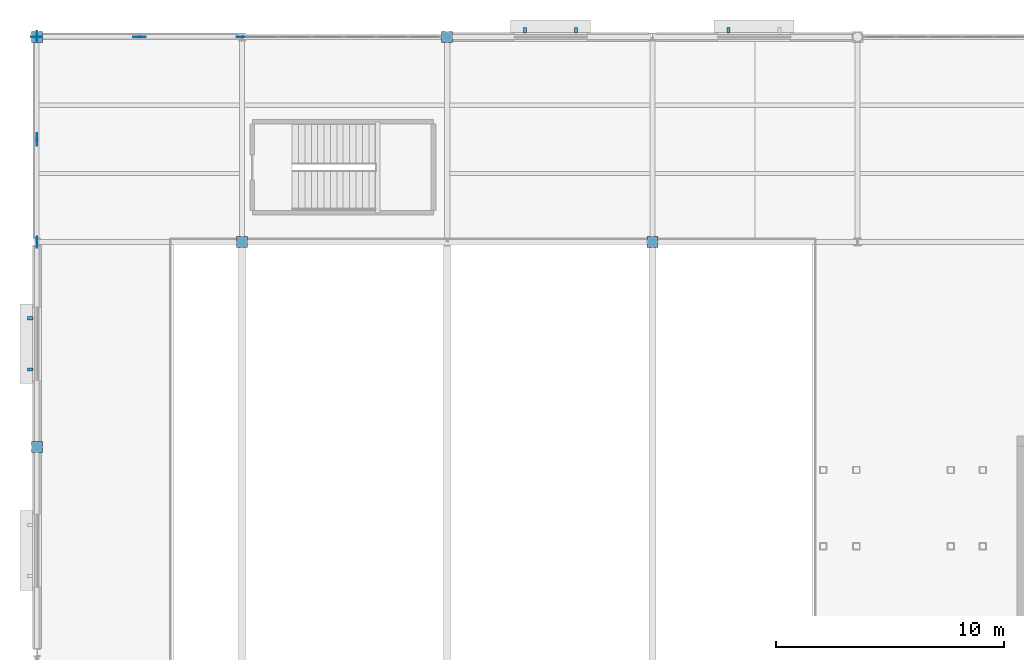
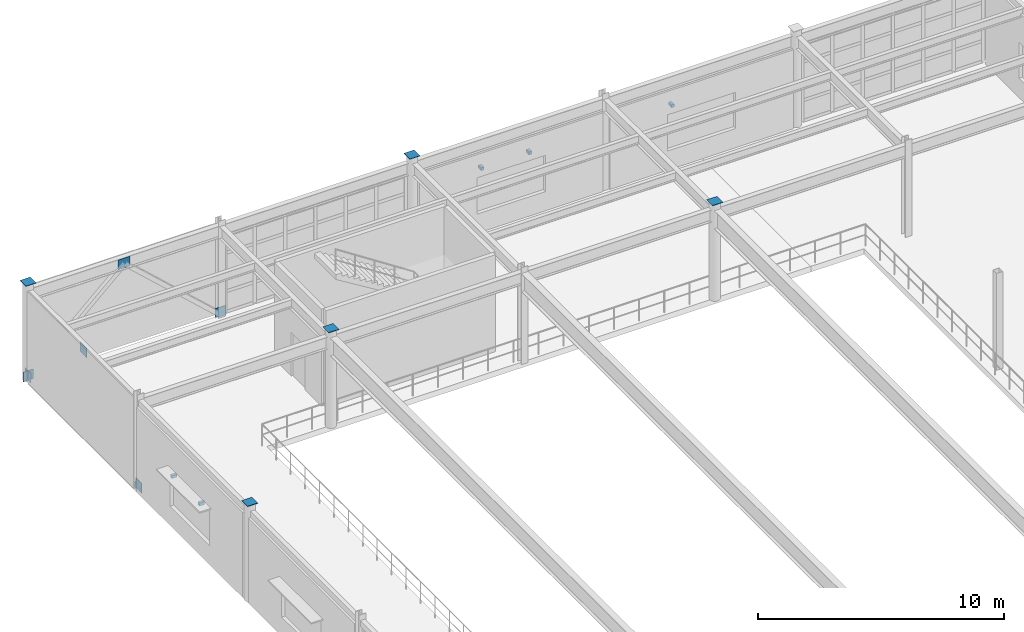
# One storey, part 75 of 86: 16 discrete accessories.
"""IFC4 building model written with IfcOpenShell, lengths in metres."""

from ifc_helpers import new_model, si_unit, direction, frame, origin, origin_2d, place, context, subcontext, project, spatial, rectangle, extrude, material, type_object, element, save


model = new_model("IFC4")

# Units and contexts
model_context = context("Model", 3, precision=1e-05, world=origin(), true_north=direction((0.0, 1.0)))
body_context = subcontext(model_context, "Body", "Model", "MODEL_VIEW")
ifc_project = project(units=[si_unit("LENGTHUNIT", "METRE"), si_unit("AREAUNIT", "SQUARE_METRE"), si_unit("VOLUMEUNIT", "CUBIC_METRE"), si_unit("PLANEANGLEUNIT", "RADIAN"), si_unit("MASSUNIT", "GRAM", prefix="KILO")], contexts=[model_context])

# Site, building, storey
site_placement = place(None, origin())
site = spatial("IfcSite", under=ifc_project, at=site_placement, CompositionType="ELEMENT")
building_placement = place(site_placement, origin())
building = spatial("IfcBuilding", under=site, at=building_placement, Name="Glasvene Arena", CompositionType="ELEMENT")
storey_placement = place(building_placement, frame((0.0, 0.0, 5.39990234375)))
storey = spatial("IfcBuildingStorey", under=building, at=storey_placement, Name="L01", CompositionType="ELEMENT", Elevation=5.39990234375)

# Discrete accessories
ifc_material_1 = material(Name="Steel S355J2", Category="steel")
discrete_accessory_type_1 = type_object("IfcDiscreteAccessoryType", Name="ACC-BRACE-GP20", PredefinedType="BRACKET", material=ifc_material_1)
for number, where, z_axis, x_axis, name in (
    (1, (0.0, 109.0, -0.06982421875), (0.0, 0.0, 1.0), (1.0, 0.0, 0.0), "Chevron brace base gusset plate L01-019-A"),
    (2, (0.0, 118.0, -0.06982421875), (0.0, 0.0, 1.0), (1.0, 0.0, 0.0), "Chevron brace base gusset plate L01-020-B"),
):
    element("IfcDiscreteAccessory", number, at=place(storey_placement, frame(where, z_axis=z_axis, x_axis=x_axis)), inside=storey, type_object=discrete_accessory_type_1, Name=name, PredefinedType="BRACKET", context=body_context, shape_type="SweptSolid", body=[
        extrude(rectangle(XDim=0.02001953125, YDim=0.47998046875, at=origin_2d()), origin(), (0.0, 0.0, 1.0), 0.47998046875),
    ])
discrete_accessory_1_placement = place(storey_placement, frame((0.0, 113.5, 3.93017578125), z_axis=(0.0, 0.0, 1.0), x_axis=(1.0, 0.0, 0.0)))
element("IfcDiscreteAccessory", 3, at=discrete_accessory_1_placement, inside=storey, type_object=discrete_accessory_type_1, Name="Chevron brace apex gusset plate L01-020", PredefinedType="BRACKET", context=body_context, shape_type="SweptSolid", body=[
    extrude(rectangle(XDim=0.02001953125, YDim=0.56005859375, at=origin_2d()), origin(), (0.0, 0.0, 1.0), 0.47998046875),
])
for number, where, z_axis, x_axis, name in (
    (4, (0.0, 118.0, -0.06982421875), (0.0, 0.0, 1.0), (1.0, 0.0, 0.0), "Chevron brace base gusset plate L01-027-A"),
    (5, (9.0, 118.0, -0.06982421875), (0.0, 0.0, 1.0), (1.0, 0.0, 0.0), "Chevron brace base gusset plate L01-028-B"),
):
    element("IfcDiscreteAccessory", number, at=place(storey_placement, frame(where, z_axis=z_axis, x_axis=x_axis)), inside=storey, type_object=discrete_accessory_type_1, Name=name, PredefinedType="BRACKET", context=body_context, shape_type="SweptSolid", body=[
        extrude(rectangle(XDim=0.47998046875, YDim=0.02001953125, at=origin_2d()), origin(), (0.0, 0.0, 1.0), 0.47998046875),
    ])
discrete_accessory_2_placement = place(storey_placement, frame((4.5, 118.0, 3.93017578125), z_axis=(0.0, 0.0, 1.0), x_axis=(1.0, 0.0, 0.0)))
element("IfcDiscreteAccessory", 6, at=discrete_accessory_2_placement, inside=storey, type_object=discrete_accessory_type_1, Name="Chevron brace apex gusset plate L01-028", PredefinedType="BRACKET", context=body_context, shape_type="SweptSolid", body=[
    extrude(rectangle(XDim=0.56005859375, YDim=0.02001953125, at=origin_2d()), origin(), (0.0, 0.0, 1.0), 0.47998046875),
])
discrete_accessory_type_2 = type_object("IfcDiscreteAccessoryType", Name="ACC-CAP-CHS420", PredefinedType="USERDEFINED", material=ifc_material_1)
for number, where, z_axis, x_axis, name in (
    (7, (0.0, 100.0, 4.798095703125), (0.0, 0.0, 1.0), (1.0, 0.0, 0.0), "Hollow column top cap plate 1-12 L01"),
    (8, (0.0, 118.0, 4.798095703125), (0.0, 0.0, 1.0), (1.0, 0.0, 0.0), "Hollow column top cap plate 1-14 L01"),
    (9, (9.0, 109.0, 4.798095703125), (0.0, 0.0, 1.0), (1.0, 0.0, 0.0), "Hollow column top cap plate 2-13 L01"),
    (10, (18.0, 118.0, 4.798095703125), (0.0, 0.0, 1.0), (1.0, 0.0, 0.0), "Hollow column top cap plate 3-14 L01"),
    (11, (27.0, 109.0, 4.798095703125), (0.0, 0.0, 1.0), (1.0, 0.0, 0.0), "Hollow column top cap plate 4-13 L01"),
):
    element("IfcDiscreteAccessory", number, at=place(storey_placement, frame(where, z_axis=z_axis, x_axis=x_axis)), inside=storey, type_object=discrete_accessory_type_2, Name=name, ObjectType="CAP PLATE", PredefinedType="USERDEFINED", context=body_context, shape_type="SweptSolid", body=[
        extrude(rectangle(XDim=0.47998046875, YDim=0.47998046875, at=origin_2d()), origin(), (0.0, 0.0, 1.0), 0.02001953125),
    ])
ifc_material_2 = material(Name="Warm bronze architectural aluminium", Category="aluminium")
discrete_accessory_type_3 = type_object("IfcDiscreteAccessoryType", Name="ACC-FIN-BRK", PredefinedType="BRACKET", material=ifc_material_2)
for number, where, z_axis, x_axis, name in (
    (12, (21.4169921875, 118.300048828125, 2.72021484375), (0.0, 0.0, 1.0), (1.0, 0.0, 0.0), "Brise-soleil wall bracket BK-015"),
    (13, (23.656982421875, 118.300048828125, 2.72021484375), (0.0, 0.0, 1.0), (1.0, 0.0, 0.0), "Brise-soleil wall bracket BK-015"),
    (14, (30.343017578125, 118.300048828125, 2.72021484375), (0.0, 0.0, 1.0), (1.0, 0.0, 0.0), "Brise-soleil wall bracket BK-016"),
    (15, (-0.300048828125, 103.4140625, 2.72021484375), (0.0, 0.0, 1.0), (0.0, 1.0, 0.0), "Brise-soleil wall bracket BK-043"),
    (16, (-0.300048828125, 105.654052734375, 2.72021484375), (0.0, 0.0, 1.0), (0.0, 1.0, 0.0), "Brise-soleil wall bracket BK-043"),
):
    element("IfcDiscreteAccessory", number, at=place(storey_placement, frame(where, z_axis=z_axis, x_axis=x_axis)), inside=storey, type_object=discrete_accessory_type_3, Name=name, PredefinedType="BRACKET", context=body_context, shape_type="SweptSolid", body=[
        extrude(rectangle(XDim=0.139892578125, YDim=0.239990234375, at=origin_2d()), origin(), (0.0, 0.0, 1.0), 0.139892578125),
    ])

save(model, "model.ifc")
